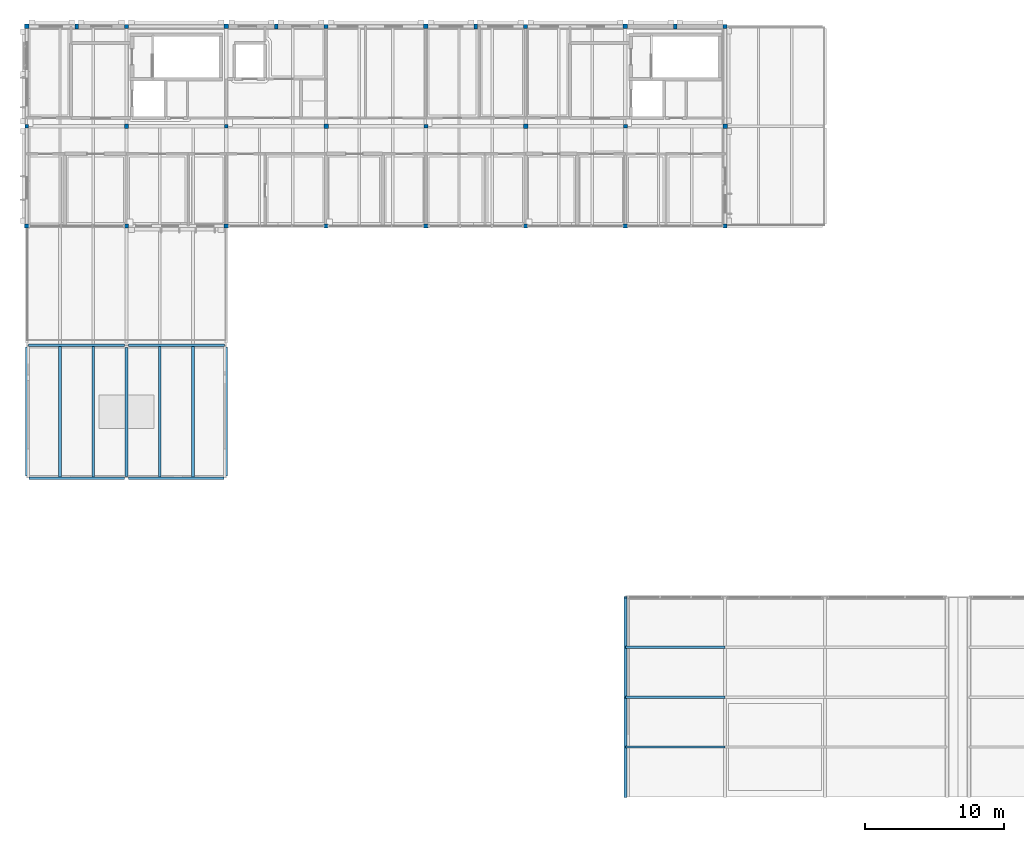
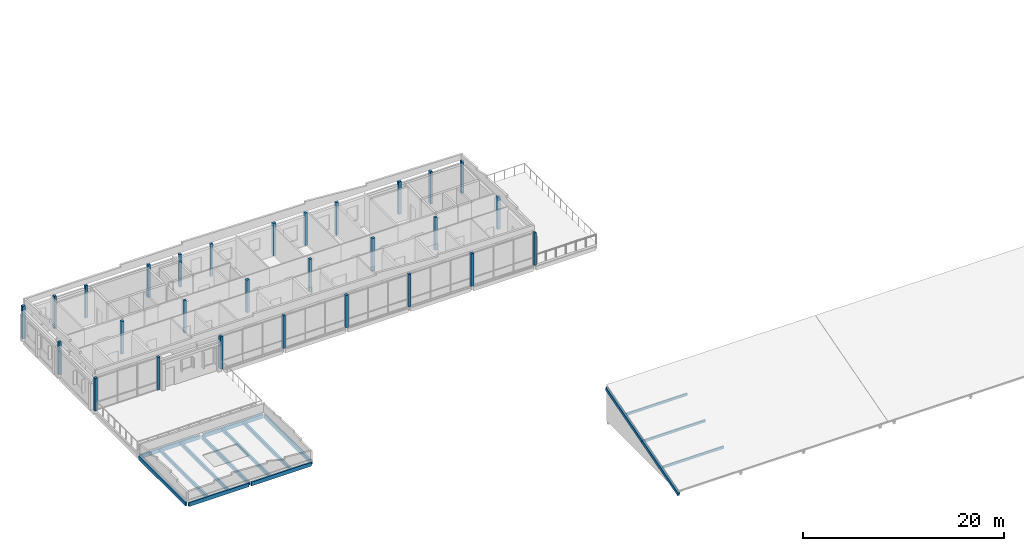
# One storey, part 1 of 32: 28 columns, 11 beams, 5 members.
"""IFC4 building model written with IfcOpenShell, lengths in metres."""

from ifc_helpers import new_model, si_unit, direction, frame, origin, origin_2d, place, context, subcontext, project, spatial, rectangle, extrude, material, material_profile, profile_set, type_object, element, save


model = new_model("IFC4")

# Units and contexts
model_context = context("Model", 3, precision=1e-05, world=origin(), true_north=direction((0.0, 1.0)))
body_context = subcontext(model_context, "Body", "Model", "MODEL_VIEW")
ifc_project = project(units=[si_unit("LENGTHUNIT", "METRE"), si_unit("AREAUNIT", "SQUARE_METRE"), si_unit("VOLUMEUNIT", "CUBIC_METRE"), si_unit("PLANEANGLEUNIT", "RADIAN"), si_unit("MASSUNIT", "GRAM", prefix="KILO")], contexts=[model_context])

# Site, building, storey
site_placement = place(None, origin())
site = spatial("IfcSite", under=ifc_project, at=site_placement, CompositionType="ELEMENT")
building_placement = place(site_placement, origin())
building = spatial("IfcBuilding", under=site, at=building_placement, Name="Hawrajan Terrace Health Centre", CompositionType="ELEMENT")
storey_placement = place(building_placement, frame((0.0, 0.0, 17.39990234375)))
storey = spatial("IfcBuildingStorey", under=building, at=storey_placement, Name="L04", CompositionType="ELEMENT", Elevation=17.39990234375)

# Columns
ifc_material_1 = material(Name="Glulam GL32h", Category="wood")
ifc_material_profile_1 = material_profile(ifc_material_1, rectangle(XDim=0.280029296875, YDim=0.280029296875, at=origin_2d()), Name="GL 280x280")
ifc_profile_set_1 = profile_set([ifc_material_profile_1], Name="Glulam GL32h")
column_type_1 = type_object("IfcColumnType", Name="GlulamCol_280x280", PredefinedType="COLUMN", material=ifc_profile_set_1)
for number, where, z_axis, x_axis, name in (
    (1, (4.60009765625, 52.60009765625, 0.0), (0.0, 0.0, 1.0), (1.0, 0.0, 0.0), "Column COL-L04-W-X01-Y7"),
    (2, (11.800048828125, 45.39990234375, 0.0), (0.0, 0.0, 1.0), (1.0, 0.0, 0.0), "Column COL-L04-W-X02-Y6"),
    (3, (11.800048828125, 59.800048828125, 0.0), (0.0, 0.0, 1.0), (1.0, 0.0, 0.0), "Column COL-L04-W-X02-Y8"),
    (4, (19.0, 52.60009765625, 0.0), (0.0, 0.0, 1.0), (1.0, 0.0, 0.0), "Column COL-L04-W-X03-Y7"),
    (5, (26.199951171875, 45.39990234375, 0.0), (0.0, 0.0, 1.0), (1.0, 0.0, 0.0), "Column COL-L04-W-X04-Y6"),
    (6, (26.199951171875, 59.800048828125, 0.0), (0.0, 0.0, 1.0), (1.0, 0.0, 0.0), "Column COL-L04-W-X04-Y8"),
    (7, (33.39990234375, 52.60009765625, 0.0), (0.0, 0.0, 1.0), (1.0, 0.0, 0.0), "Column COL-L04-W-X05-Y7"),
    (8, (40.60009765625, 45.39990234375, 0.0), (0.0, 0.0, 1.0), (1.0, 0.0, 0.0), "Column COL-L04-W-X06-Y6"),
    (9, (40.60009765625, 59.800048828125, 0.0), (0.0, 0.0, 1.0), (1.0, 0.0, 0.0), "Column COL-L04-W-X06-Y8"),
    (10, (47.800048828125, 52.60009765625, 0.0), (0.0, 0.0, 1.0), (1.0, 0.0, 0.0), "Column COL-L04-W-X07-Y7"),
    (11, (55.0, 45.39990234375, 0.0), (0.0, 0.0, 1.0), (1.0, 0.0, 0.0), "Column COL-L04-W-X08-Y6"),
    (12, (55.0, 59.800048828125, 0.0), (0.0, 0.0, 1.0), (1.0, 0.0, 0.0), "Column COL-L04-W-X08-Y8"),
):
    element("IfcColumn", number, at=place(storey_placement, frame(where, z_axis=z_axis, x_axis=x_axis)), inside=storey, type_object=column_type_1, Name=name, PredefinedType="COLUMN", context=body_context, shape_type="SweptSolid", body=[
        extrude(rectangle(XDim=0.280029296875, YDim=0.280029296875, at=origin_2d()), origin(), (0.0, 0.0, 1.0), 3.9501953125),
    ])
ifc_material_profile_2 = material_profile(ifc_material_1, rectangle(XDim=0.320068359375, YDim=0.320068359375, at=origin_2d()), Name="GL 320x320")
ifc_profile_set_2 = profile_set([ifc_material_profile_2], Name="Glulam GL32h")
column_type_2 = type_object("IfcColumnType", Name="GlulamCol_320x320", PredefinedType="COLUMN", material=ifc_profile_set_2)
for number, where, z_axis, x_axis, name in (
    (13, (4.60009765625, 45.39990234375, 0.0), (0.0, 0.0, 1.0), (1.0, 0.0, 0.0), "Column COL-L04-W-X01-Y6"),
    (14, (4.60009765625, 59.800048828125, 0.0), (0.0, 0.0, 1.0), (1.0, 0.0, 0.0), "Column COL-L04-W-X01-Y8"),
    (15, (11.800048828125, 52.60009765625, 0.0), (0.0, 0.0, 1.0), (1.0, 0.0, 0.0), "Column COL-L04-W-X02-Y7"),
    (16, (19.0, 45.39990234375, 0.0), (0.0, 0.0, 1.0), (1.0, 0.0, 0.0), "Column COL-L04-W-X03-Y6"),
    (17, (19.0, 59.800048828125, 0.0), (0.0, 0.0, 1.0), (1.0, 0.0, 0.0), "Column COL-L04-W-X03-Y8"),
    (18, (26.199951171875, 52.60009765625, 0.0), (0.0, 0.0, 1.0), (1.0, 0.0, 0.0), "Column COL-L04-W-X04-Y7"),
    (19, (33.39990234375, 45.39990234375, 0.0), (0.0, 0.0, 1.0), (1.0, 0.0, 0.0), "Column COL-L04-W-X05-Y6"),
    (20, (33.39990234375, 59.800048828125, 0.0), (0.0, 0.0, 1.0), (1.0, 0.0, 0.0), "Column COL-L04-W-X05-Y8"),
    (21, (40.60009765625, 52.60009765625, 0.0), (0.0, 0.0, 1.0), (1.0, 0.0, 0.0), "Column COL-L04-W-X06-Y7"),
    (22, (47.800048828125, 45.39990234375, 0.0), (0.0, 0.0, 1.0), (1.0, 0.0, 0.0), "Column COL-L04-W-X07-Y6"),
    (23, (47.800048828125, 59.800048828125, 0.0), (0.0, 0.0, 1.0), (1.0, 0.0, 0.0), "Column COL-L04-W-X07-Y8"),
    (24, (55.0, 52.60009765625, 0.0), (0.0, 0.0, 1.0), (1.0, 0.0, 0.0), "Column COL-L04-W-X08-Y7"),
):
    element("IfcColumn", number, at=place(storey_placement, frame(where, z_axis=z_axis, x_axis=x_axis)), inside=storey, type_object=column_type_2, Name=name, PredefinedType="COLUMN", context=body_context, shape_type="SweptSolid", body=[
        extrude(rectangle(XDim=0.320068359375, YDim=0.320068359375, at=origin_2d()), origin(), (0.0, 0.0, 1.0), 3.9501953125),
    ])
ifc_material_profile_3 = material_profile(ifc_material_1, rectangle(XDim=0.239990234375, YDim=0.3798828125, at=origin_2d()), Name="GL PIL 240x380")
ifc_profile_set_3 = profile_set([ifc_material_profile_3], Name="Glulam GL32h")
column_type_3 = type_object("IfcColumnType", Name="GlulamPilaster_240x380", PredefinedType="PILASTER", material=ifc_profile_set_3)
for number, where, z_axis, x_axis, name in (
    (25, (8.199951171875, 59.800048828125, 0.0), (0.0, 0.0, 1.0), (1.0, 0.0, 0.0), "Art Deco fluted pilaster L04-01-Y8"),
    (26, (22.60009765625, 59.800048828125, 0.0), (0.0, 0.0, 1.0), (1.0, 0.0, 0.0), "Art Deco fluted pilaster L04-03-Y8"),
    (27, (37.0, 59.800048828125, 0.0), (0.0, 0.0, 1.0), (1.0, 0.0, 0.0), "Art Deco fluted pilaster L04-05-Y8"),
    (28, (51.39990234375, 59.800048828125, 0.0), (0.0, 0.0, 1.0), (1.0, 0.0, 0.0), "Art Deco fluted pilaster L04-07-Y8"),
):
    element("IfcColumn", number, at=place(storey_placement, frame(where, z_axis=z_axis, x_axis=x_axis)), inside=storey, type_object=column_type_3, Name=name, PredefinedType="PILASTER", context=body_context, shape_type="SweptSolid", body=[
        extrude(rectangle(XDim=0.239990234375, YDim=0.3798828125, at=origin_2d()), origin(), (0.0, 0.0, 1.0), 3.9501953125),
    ])

# Beams
ifc_material_2 = material(Name="Glulam GL28h", Category="wood")
ifc_material_profile_4 = material_profile(ifc_material_2, rectangle(XDim=0.199951171875, YDim=0.419921875, at=origin_2d()), Name="GL JST 200x420")
ifc_profile_set_4 = profile_set([ifc_material_profile_4], Name="Glulam GL28h")
beam_type_1 = type_object("IfcBeamType", Name="GlulamJoist_200x420", PredefinedType="JOIST", material=ifc_profile_set_4)
for number, where, z_axis, x_axis, name in (
    (29, (7.0, 27.300048828125, -0.4599609375), (0.0, 1.0, 0.0), (-1.0, 0.0, 0.0), "Secondary joist JST-L04-W-01-4-1"),
    (30, (9.39990234375, 27.300048828125, -0.4599609375), (0.0, 1.0, 0.0), (-1.0, 0.0, 0.0), "Secondary joist JST-L04-W-01-4-2"),
    (31, (14.199951171875, 27.300048828125, -0.4599609375), (0.0, 1.0, 0.0), (-1.0, 0.0, 0.0), "Secondary joist JST-L04-W-02-4-1"),
    (32, (16.60009765625, 27.300048828125, -0.4599609375), (0.0, 1.0, 0.0), (-1.0, 0.0, 0.0), "Secondary joist JST-L04-W-02-4-2"),
):
    element("IfcBeam", number, at=place(storey_placement, frame(where, z_axis=z_axis, x_axis=x_axis)), inside=storey, type_object=beam_type_1, Name=name, PredefinedType="JOIST", context=body_context, shape_type="SweptSolid", body=[
        extrude(rectangle(XDim=0.199951171875, YDim=0.419921875, at=origin_2d()), origin(), (0.0, 0.0, 1.0), 9.39990234375),
    ])
ifc_material_profile_5 = material_profile(ifc_material_1, rectangle(XDim=0.199951171875, YDim=0.4599609375, at=origin_2d()), Name="GL SP 200x460")
ifc_profile_set_5 = profile_set([ifc_material_profile_5], Name="Glulam GL32h")
beam_type_2 = type_object("IfcBeamType", Name="GlulamSpandrel_200x460", PredefinedType="SPANDREL", material=ifc_profile_set_5)
for number, where, z_axis, x_axis, name in (
    (33, (4.760009765625, 27.199951171875, -0.47998046875), (1.0, 0.0, 0.0), (0.0, 1.0, 0.0), "Beam BM-X-L04-W-01-Y4"),
    (34, (4.739990234375, 36.800048828125, -0.47998046875), (1.0, 0.0, 0.0), (0.0, 1.0, 0.0), "Beam BM-X-L04-W-01-Y5"),
):
    element("IfcBeam", number, at=place(storey_placement, frame(where, z_axis=z_axis, x_axis=x_axis)), inside=storey, type_object=beam_type_2, Name=name, PredefinedType="SPANDREL", context=body_context, shape_type="SweptSolid", body=[
        extrude(rectangle(XDim=0.199951171875, YDim=0.4599609375, at=origin_2d()), origin(), (0.0, 0.0, 1.0), 6.89990234375),
    ])
for number, where, z_axis, x_axis, name in (
    (35, (11.93994140625, 27.199951171875, -0.47998046875), (1.0, 0.0, 0.0), (0.0, 1.0, 0.0), "Beam BM-X-L04-W-02-Y4"),
    (36, (11.9599609375, 36.800048828125, -0.47998046875), (1.0, 0.0, 0.0), (0.0, 1.0, 0.0), "Beam BM-X-L04-W-02-Y5"),
):
    element("IfcBeam", number, at=place(storey_placement, frame(where, z_axis=z_axis, x_axis=x_axis)), inside=storey, type_object=beam_type_2, Name=name, PredefinedType="SPANDREL", context=body_context, shape_type="SweptSolid", body=[
        extrude(rectangle(XDim=0.199951171875, YDim=0.4599609375, at=origin_2d()), origin(), (0.0, 0.0, 1.0), 6.900146484375),
    ])
for number, where, z_axis, x_axis, name in (
    (37, (4.60009765625, 27.360107421875, -0.47998046875), (0.0, 1.0, 0.0), (-1.0, 0.0, 0.0), "Beam BM-Y-L04-W-X01-4"),
    (38, (11.800048828125, 27.340087890625, -0.47998046875), (0.0, 1.0, 0.0), (-1.0, 0.0, 0.0), "Beam BM-Y-L04-W-X02-4"),
    (39, (19.0, 27.360107421875, -0.47998046875), (0.0, 1.0, 0.0), (-1.0, 0.0, 0.0), "Beam BM-Y-L04-W-X03-4"),
):
    element("IfcBeam", number, at=place(storey_placement, frame(where, z_axis=z_axis, x_axis=x_axis)), inside=storey, type_object=beam_type_2, Name=name, PredefinedType="SPANDREL", context=body_context, shape_type="SweptSolid", body=[
        extrude(rectangle(XDim=0.199951171875, YDim=0.4599609375, at=origin_2d()), origin(), (0.0, 0.0, 1.0), 9.2998046875),
    ])

# Members
ifc_material_profile_6 = material_profile(ifc_material_2, rectangle(XDim=0.159912109375, YDim=0.280029296875, at=origin_2d()), Name="GL PUR 160x280")
ifc_profile_set_6 = profile_set([ifc_material_profile_6], Name="Glulam GL28h")
member_type_1 = type_object("IfcMemberType", Name="RoofPurlin_160x280", PredefinedType="PURLIN", material=ifc_profile_set_6)
for number, where, z_axis, x_axis, name in (
    (40, (47.800048828125, 7.800048828125, 0.65234375), (1.0, 0.0, 0.0), (0.0, 1.0, 0.0), "North-light purlin W-1-1"),
    (41, (47.800048828125, 11.39990234375, 1.684814453125), (1.0, 0.0, 0.0), (0.0, 1.0, 0.0), "North-light purlin W-1-2"),
    (42, (47.800048828125, 15.0, 2.717041015625), (1.0, 0.0, 0.0), (0.0, 1.0, 0.0), "North-light purlin W-1-3"),
):
    element("IfcMember", number, at=place(storey_placement, frame(where, z_axis=z_axis, x_axis=x_axis)), inside=storey, type_object=member_type_1, Name=name, PredefinedType="PURLIN", context=body_context, shape_type="SweptSolid", body=[
        extrude(rectangle(XDim=0.159912109375, YDim=0.280029296875, at=origin_2d()), origin(), (0.0, 0.0, 1.0), 7.199951171875),
    ])
ifc_material_profile_7 = material_profile(ifc_material_1, rectangle(XDim=0.219970703125, YDim=0.3798828125, at=origin_2d()), Name="GL CHD 220x380")
ifc_profile_set_7 = profile_set([ifc_material_profile_7], Name="Glulam GL32h")
member_type_2 = type_object("IfcMemberType", Name="RoofRafter_220x380", PredefinedType="RAFTER", material=ifc_profile_set_7)
for number, where, z_axis, x_axis, name in (
    (43, (47.800048828125, 4.199951171875, -0.3798828125), (0.0, 0.961256584542, 0.275655180749), (-1.0, 0.0, 0.0), "North-light rafter S W-G07"),
    (44, (47.800048828125, 11.39990234375, 1.684814453125), (0.0, 0.961267697111, 0.275616426379), (-1.0, 0.0, 0.0), "North-light rafter N W-G07"),
):
    element("IfcMember", number, at=place(storey_placement, frame(where, z_axis=z_axis, x_axis=x_axis)), inside=storey, type_object=member_type_2, Name=name, PredefinedType="RAFTER", context=body_context, shape_type="SweptSolid", body=[
        extrude(rectangle(XDim=0.219970703125, YDim=0.3798828125, at=origin_2d()), origin(), (0.0, 0.0, 1.0), 7.490234375),
    ])

save(model, "model.ifc")
